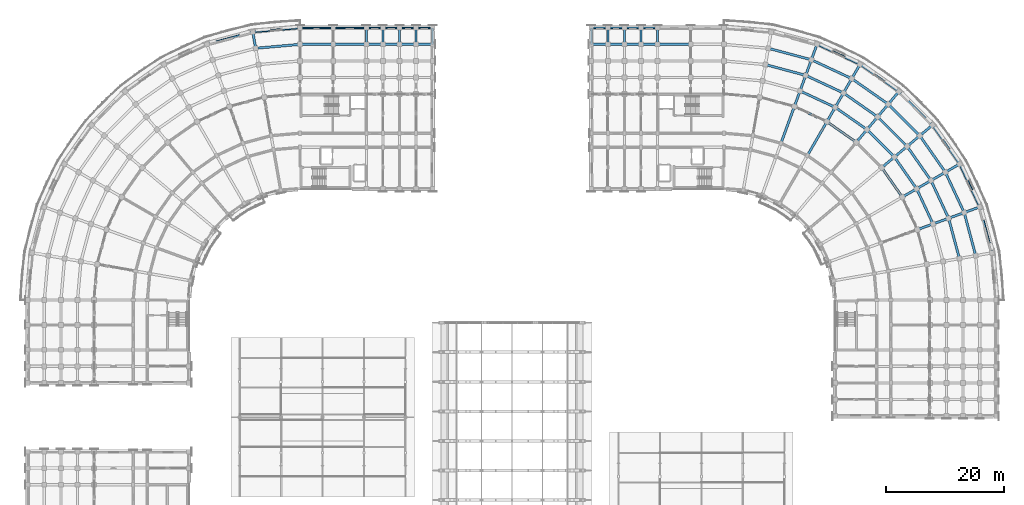
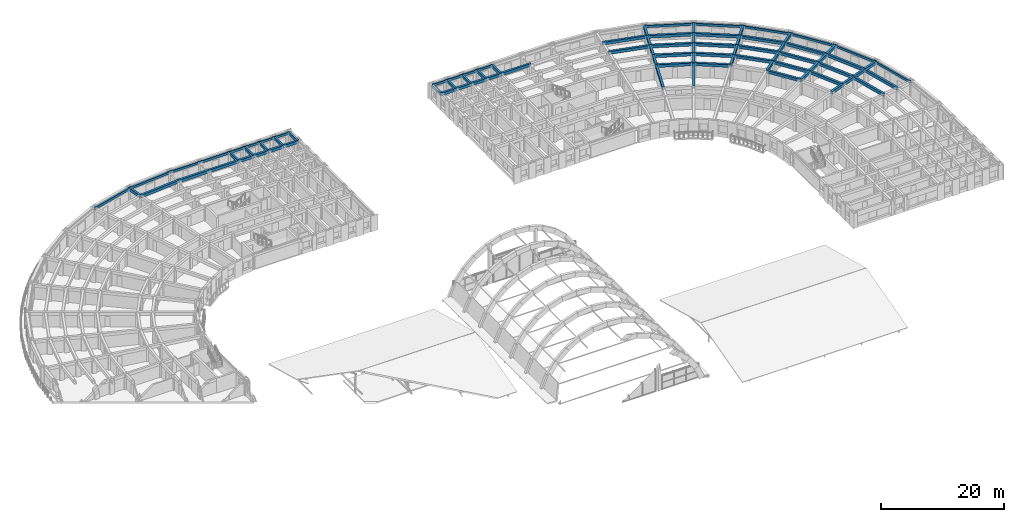
# One storey, part 25 of 76: 89 beams.
"""IFC4 building model written with IfcOpenShell, lengths in metres."""

from ifc_helpers import new_model, si_unit, direction, frame, origin, origin_2d, place, context, subcontext, project, spatial, rectangle, extrude, material, material_profile, profile_set, type_object, element, save


model = new_model("IFC4")

# Units and contexts
model_context = context("Model", 3, precision=1e-05, world=origin(), true_north=direction((0.0, 1.0)))
body_context = subcontext(model_context, "Body", "Model", "MODEL_VIEW")
ifc_project = project(units=[si_unit("LENGTHUNIT", "METRE"), si_unit("AREAUNIT", "SQUARE_METRE"), si_unit("VOLUMEUNIT", "CUBIC_METRE"), si_unit("PLANEANGLEUNIT", "RADIAN"), si_unit("MASSUNIT", "GRAM", prefix="KILO")], contexts=[model_context])

# Site, building, storey
site_placement = place(None, origin())
site = spatial("IfcSite", under=ifc_project, at=site_placement, CompositionType="ELEMENT")
building_placement = place(site_placement, origin())
building = spatial("IfcBuilding", under=site, at=building_placement, Name="Kiranvali Square Residences", CompositionType="ELEMENT")
storey_placement = place(building_placement, frame((0.0, 0.0, 8.699951171875)))
storey = spatial("IfcBuildingStorey", under=building, at=storey_placement, Name="L02", CompositionType="ELEMENT", Elevation=8.699951171875)

# Beams
ifc_material_1 = material(Name="Concrete M40 (40 MPa)", Category="concrete")
ifc_material_profile_1 = material_profile(ifc_material_1, rectangle(XDim=0.35009765625, YDim=0.550048828125, at=origin_2d()), Name="RC 350x550")
ifc_profile_set_1 = profile_set([ifc_material_profile_1], Name="Concrete M40 (40 MPa)")
beam_type_1 = type_object("IfcBeamType", Name="BM-M40-350x550", PredefinedType="BEAM", material=ifc_profile_set_1)
for number, where, z_axis, x_axis, name in (
    (1, (59.39990234375, 131.0, 2.655029296875), (0.0, 1.0, 0.0), (-1.0, 0.0, 0.0), "L02 beam BM-A-L02-A1T1-67"),
    (2, (62.199951171875, 131.0, 2.655029296875), (0.0, 1.0, 0.0), (-1.0, 0.0, 0.0), "L02 beam BM-A-L02-A1T2-67"),
    (3, (65.0, 131.0, 2.655029296875), (0.0, 1.0, 0.0), (-1.0, 0.0, 0.0), "L02 beam BM-A-L02-A1T3-67"),
    (4, (67.800048828125, 131.0, 2.655029296875), (0.0, 1.0, 0.0), (-1.0, 0.0, 0.0), "L02 beam BM-A-L02-A1T4-67"),
    (5, (70.60009765625, 131.0, 2.655029296875), (0.0, 1.0, 0.0), (-1.0, 0.0, 0.0), "L02 beam BM-A-L02-A1T5-67"),
    (6, (108.60009765625, 131.0, 2.655029296875), (0.0, 1.0, 0.0), (-1.0, 0.0, 0.0), "L02 beam BM-B-L02-A1T1-67"),
    (7, (105.800048828125, 131.0, 2.655029296875), (0.0, 1.0, 0.0), (-1.0, 0.0, 0.0), "L02 beam BM-B-L02-A1T2-67"),
    (8, (103.0, 131.0, 2.655029296875), (0.0, 1.0, 0.0), (-1.0, 0.0, 0.0), "L02 beam BM-B-L02-A1T3-67"),
    (9, (100.199951171875, 131.0, 2.655029296875), (0.0, 1.0, 0.0), (-1.0, 0.0, 0.0), "L02 beam BM-B-L02-A1T4-67"),
    (10, (97.39990234375, 131.0, 2.655029296875), (0.0, 1.0, 0.0), (-1.0, 0.0, 0.0), "L02 beam BM-B-L02-A1T5-67"),
):
    element("IfcBeam", number, at=place(storey_placement, frame(where, z_axis=z_axis, x_axis=x_axis)), inside=storey, type_object=beam_type_1, Name=name, PredefinedType="BEAM", context=body_context, shape_type="SweptSolid", body=[
        extrude(rectangle(XDim=0.35009765625, YDim=0.550048828125, at=origin_2d()), origin(), (0.0, 0.0, 1.0), 2.800048828125),
    ])
ifc_material_2 = material(Name="Concrete M45 (45 MPa)", Category="concrete")
ifc_material_profile_2 = material_profile(ifc_material_2, rectangle(XDim=0.39990234375, YDim=0.550048828125, at=origin_2d()), Name="RC 400x550")
ifc_profile_set_2 = profile_set([ifc_material_profile_2], Name="Concrete M45 (45 MPa)")
beam_type_2 = type_object("IfcBeamType", Name="BM-M45-400x550", PredefinedType="BEAM", material=ifc_profile_set_2)
beam_1_placement = place(storey_placement, frame((48.199951171875, 131.0, 2.655029296875), z_axis=(-0.996195195417, -0.087150058103, 0.0), x_axis=(0.087150058103, -0.996195195417, 0.0)))
element("IfcBeam", 11, at=beam_1_placement, inside=storey, type_object=beam_type_2, Name="L02 beam BM-A-L02-C00-R6", PredefinedType="BEAM", context=body_context, shape_type="SweptSolid", body=[
    extrude(rectangle(XDim=0.39990234375, YDim=0.550048828125, at=origin_2d()), origin(), (0.0, 0.0, 1.0), 7.530029296875),
])
beam_2_placement = place(storey_placement, frame((40.698486328125, 130.34375, 2.655029296875), z_axis=(-0.173695795656, 0.984799355489, 0.0), x_axis=(-0.984799355489, -0.173695795656, 0.0)))
element("IfcBeam", 12, at=beam_2_placement, inside=storey, type_object=beam_type_2, Name="L02 beam BM-A-L02-RAD01-67", PredefinedType="BEAM", context=body_context, shape_type="SweptSolid", body=[
    extrude(rectangle(XDim=0.39990234375, YDim=0.550048828125, at=origin_2d()), origin(), (0.0, 0.0, 1.0), 2.7998046875),
])
beam_3_placement = place(storey_placement, frame((48.199951171875, 131.0, 2.655029296875), z_axis=(1.0, 0.0, 0.0), x_axis=(0.0, 1.0, 0.0)))
element("IfcBeam", 13, at=beam_3_placement, inside=storey, type_object=beam_type_2, Name="L02 beam BM-A-L02-A1U0-R6", PredefinedType="BEAM", context=body_context, shape_type="SweptSolid", body=[
    extrude(rectangle(XDim=0.39990234375, YDim=0.550048828125, at=origin_2d()), origin(), (0.0, 0.0, 1.0), 5.60009765625),
])
beam_4_placement = place(storey_placement, frame((53.800048828125, 131.0, 2.655029296875), z_axis=(1.0, 0.0, 0.0), x_axis=(0.0, 1.0, 0.0)))
element("IfcBeam", 14, at=beam_4_placement, inside=storey, type_object=beam_type_2, Name="L02 beam BM-A-L02-A1U1-R6", PredefinedType="BEAM", context=body_context, shape_type="SweptSolid", body=[
    extrude(rectangle(XDim=0.39990234375, YDim=0.550048828125, at=origin_2d()), origin(), (0.0, 0.0, 1.0), 5.599853515625),
])
for number, where, z_axis, x_axis, name in (
    (15, (59.39990234375, 131.0, 2.655029296875), (1.0, 0.0, 0.0), (0.0, 1.0, 0.0), "L02 beam BM-A-L02-A1U2-R6"),
    (16, (62.199951171875, 131.0, 2.655029296875), (1.0, 0.0, 0.0), (0.0, 1.0, 0.0), "L02 beam BM-A-L02-A1U3-R6"),
    (17, (65.0, 131.0, 2.655029296875), (1.0, 0.0, 0.0), (0.0, 1.0, 0.0), "L02 beam BM-A-L02-A1U4-R6"),
    (18, (67.800048828125, 131.0, 2.655029296875), (1.0, 0.0, 0.0), (0.0, 1.0, 0.0), "L02 beam BM-A-L02-A1U5-R6"),
):
    element("IfcBeam", number, at=place(storey_placement, frame(where, z_axis=z_axis, x_axis=x_axis)), inside=storey, type_object=beam_type_2, Name=name, PredefinedType="BEAM", context=body_context, shape_type="SweptSolid", body=[
        extrude(rectangle(XDim=0.39990234375, YDim=0.550048828125, at=origin_2d()), origin(), (0.0, 0.0, 1.0), 2.800048828125),
    ])
beam_5_placement = place(storey_placement, frame((126.8154296875, 127.586181640625, 2.655029296875), z_axis=(0.965931029817, -0.258799624492, 0.0), x_axis=(0.258799624492, 0.965931029817, 0.0)))
element("IfcBeam", 19, at=beam_5_placement, inside=storey, type_object=beam_type_2, Name="L02 beam BM-B-L02-C01-R5", PredefinedType="BEAM", context=body_context, shape_type="SweptSolid", body=[
    extrude(rectangle(XDim=0.39990234375, YDim=0.550048828125, at=origin_2d()), origin(), (0.0, 0.0, 1.0), 7.042236328125),
])
beam_6_placement = place(storey_placement, frame((127.301513671875, 130.34375, 2.655029296875), z_axis=(0.965925909693, -0.258818733833, 0.0), x_axis=(0.258818733833, 0.965925909693, 0.0)))
element("IfcBeam", 20, at=beam_6_placement, inside=storey, type_object=beam_type_2, Name="L02 beam BM-B-L02-C01-R6", PredefinedType="BEAM", context=body_context, shape_type="SweptSolid", body=[
    extrude(rectangle(XDim=0.39990234375, YDim=0.550048828125, at=origin_2d()), origin(), (0.0, 0.0, 1.0), 7.5302734375),
])
beam_7_placement = place(storey_placement, frame((131.702392578125, 120.501220703125, 2.655029296875), z_axis=(0.906312656069, -0.42260781991, 0.0), x_axis=(0.42260781991, 0.906312656069, 0.0)))
element("IfcBeam", 21, at=beam_7_placement, inside=storey, type_object=beam_type_2, Name="L02 beam BM-B-L02-C02-R3", PredefinedType="BEAM", context=body_context, shape_type="SweptSolid", body=[
    extrude(rectangle(XDim=0.39990234375, YDim=0.550048828125, at=origin_2d()), origin(), (0.0, 0.0, 1.0), 6.06591796875),
])
beam_8_placement = place(storey_placement, frame((132.659912109375, 123.13232421875, 2.655029296875), z_axis=(0.906318225223, -0.422595876255, 0.0), x_axis=(0.422595876255, 0.906318225223, 0.0)))
element("IfcBeam", 22, at=beam_8_placement, inside=storey, type_object=beam_type_2, Name="L02 beam BM-B-L02-C02-R4", PredefinedType="BEAM", context=body_context, shape_type="SweptSolid", body=[
    extrude(rectangle(XDim=0.39990234375, YDim=0.550048828125, at=origin_2d()), origin(), (0.0, 0.0, 1.0), 6.55419921875),
])
beam_9_placement = place(storey_placement, frame((133.61767578125, 125.763671875, 2.655029296875), z_axis=(0.906297360311, -0.422640621205, 0.0), x_axis=(0.422640621205, 0.906297360311, 0.0)))
element("IfcBeam", 23, at=beam_9_placement, inside=storey, type_object=beam_type_2, Name="L02 beam BM-B-L02-C02-R5", PredefinedType="BEAM", context=body_context, shape_type="SweptSolid", body=[
    extrude(rectangle(XDim=0.39990234375, YDim=0.550048828125, at=origin_2d()), origin(), (0.0, 0.0, 1.0), 7.042236328125),
])
beam_10_placement = place(storey_placement, frame((134.5751953125, 128.394775390625, 2.655029296875), z_axis=(0.90630982703, -0.422613886933, 0.0), x_axis=(0.422613886933, 0.90630982703, 0.0)))
element("IfcBeam", 24, at=beam_10_placement, inside=storey, type_object=beam_type_2, Name="L02 beam BM-B-L02-C02-R6", PredefinedType="BEAM", context=body_context, shape_type="SweptSolid", body=[
    extrude(rectangle(XDim=0.39990234375, YDim=0.550048828125, at=origin_2d()), origin(), (0.0, 0.0, 1.0), 7.5302734375),
])
beam_11_placement = place(storey_placement, frame((137.199951171875, 117.937744140625, 2.655029296875), z_axis=(0.81913926159, -0.573594691504, 0.0), x_axis=(0.573594691504, 0.81913926159, 0.0)))
element("IfcBeam", 25, at=beam_11_placement, inside=storey, type_object=beam_type_2, Name="L02 beam BM-B-L02-C03-R3", PredefinedType="BEAM", context=body_context, shape_type="SweptSolid", body=[
    extrude(rectangle(XDim=0.39990234375, YDim=0.550048828125, at=origin_2d()), origin(), (0.0, 0.0, 1.0), 6.066162109375),
])
beam_12_placement = place(storey_placement, frame((138.60009765625, 120.362548828125, 2.655029296875), z_axis=(0.819144409176, -0.573587340268, 0.0), x_axis=(0.573587340268, 0.819144409176, 0.0)))
element("IfcBeam", 26, at=beam_12_placement, inside=storey, type_object=beam_type_2, Name="L02 beam BM-B-L02-C03-R4", PredefinedType="BEAM", context=body_context, shape_type="SweptSolid", body=[
    extrude(rectangle(XDim=0.39990234375, YDim=0.550048828125, at=origin_2d()), origin(), (0.0, 0.0, 1.0), 6.553955078125),
])
beam_13_placement = place(storey_placement, frame((140.0, 122.787353515625, 2.655029296875), z_axis=(0.819160249246, -0.57356471828, 0.0), x_axis=(0.57356471828, 0.819160249246, 0.0)))
element("IfcBeam", 27, at=beam_13_placement, inside=storey, type_object=beam_type_2, Name="L02 beam BM-B-L02-C03-R5", PredefinedType="BEAM", context=body_context, shape_type="SweptSolid", body=[
    extrude(rectangle(XDim=0.39990234375, YDim=0.550048828125, at=origin_2d()), origin(), (0.0, 0.0, 1.0), 7.0419921875),
])
beam_14_placement = place(storey_placement, frame((141.39990234375, 125.21240234375, 2.655029296875), z_axis=(0.819143569597, -0.573588539275, 0.0), x_axis=(0.573588539275, 0.819143569597, 0.0)))
element("IfcBeam", 28, at=beam_14_placement, inside=storey, type_object=beam_type_2, Name="L02 beam BM-B-L02-C03-R6", PredefinedType="BEAM", context=body_context, shape_type="SweptSolid", body=[
    extrude(rectangle(XDim=0.39990234375, YDim=0.550048828125, at=origin_2d()), origin(), (0.0, 0.0, 1.0), 7.5302734375),
])
beam_15_placement = place(storey_placement, frame((143.96875, 116.603271484375, 2.655029296875), z_axis=(0.707106781187, -0.707106781187, 0.0), x_axis=(0.707106781187, 0.707106781187, 0.0)))
element("IfcBeam", 29, at=beam_15_placement, inside=storey, type_object=beam_type_2, Name="L02 beam BM-B-L02-C04-R4", PredefinedType="BEAM", context=body_context, shape_type="SweptSolid", body=[
    extrude(rectangle(XDim=0.39990234375, YDim=0.550048828125, at=origin_2d()), origin(), (0.0, 0.0, 1.0), 6.55419921875),
])
beam_16_placement = place(storey_placement, frame((145.7685546875, 118.748291015625, 2.655029296875), z_axis=(0.707106781187, -0.707106781187, 0.0), x_axis=(0.707106781187, 0.707106781187, 0.0)))
element("IfcBeam", 30, at=beam_16_placement, inside=storey, type_object=beam_type_2, Name="L02 beam BM-B-L02-C04-R5", PredefinedType="BEAM", context=body_context, shape_type="SweptSolid", body=[
    extrude(rectangle(XDim=0.39990234375, YDim=0.550048828125, at=origin_2d()), origin(), (0.0, 0.0, 1.0), 7.04248046875),
])
beam_17_placement = place(storey_placement, frame((147.568359375, 120.89306640625, 2.655029296875), z_axis=(0.707106781187, -0.707106781187, 0.0), x_axis=(0.707106781187, 0.707106781187, 0.0)))
element("IfcBeam", 31, at=beam_17_placement, inside=storey, type_object=beam_type_2, Name="L02 beam BM-B-L02-C04-R6", PredefinedType="BEAM", context=body_context, shape_type="SweptSolid", body=[
    extrude(rectangle(XDim=0.39990234375, YDim=0.550048828125, at=origin_2d()), origin(), (0.0, 0.0, 1.0), 7.5302734375),
])
beam_18_placement = place(storey_placement, frame((146.458251953125, 110.1689453125, 2.655029296875), z_axis=(0.573594691504, -0.81913926159, 0.0), x_axis=(0.81913926159, 0.573594691504, 0.0)))
element("IfcBeam", 32, at=beam_18_placement, inside=storey, type_object=beam_type_2, Name="L02 beam BM-B-L02-C05-R3", PredefinedType="BEAM", context=body_context, shape_type="SweptSolid", body=[
    extrude(rectangle(XDim=0.39990234375, YDim=0.550048828125, at=origin_2d()), origin(), (0.0, 0.0, 1.0), 6.066162109375),
])
beam_19_placement = place(storey_placement, frame((148.603271484375, 111.96875, 2.655029296875), z_axis=(0.573587340268, -0.819144409176, 0.0), x_axis=(0.819144409176, 0.573587340268, 0.0)))
element("IfcBeam", 33, at=beam_19_placement, inside=storey, type_object=beam_type_2, Name="L02 beam BM-B-L02-C05-R4", PredefinedType="BEAM", context=body_context, shape_type="SweptSolid", body=[
    extrude(rectangle(XDim=0.39990234375, YDim=0.550048828125, at=origin_2d()), origin(), (0.0, 0.0, 1.0), 6.553955078125),
])
beam_20_placement = place(storey_placement, frame((150.748291015625, 113.7685546875, 2.655029296875), z_axis=(0.57356471828, -0.819160249246, 0.0), x_axis=(0.819160249246, 0.57356471828, 0.0)))
element("IfcBeam", 34, at=beam_20_placement, inside=storey, type_object=beam_type_2, Name="L02 beam BM-B-L02-C05-R5", PredefinedType="BEAM", context=body_context, shape_type="SweptSolid", body=[
    extrude(rectangle(XDim=0.39990234375, YDim=0.550048828125, at=origin_2d()), origin(), (0.0, 0.0, 1.0), 7.0419921875),
])
beam_21_placement = place(storey_placement, frame((152.89306640625, 115.568359375, 2.655029296875), z_axis=(0.573588539275, -0.819143569597, 0.0), x_axis=(0.819143569597, 0.573588539275, 0.0)))
element("IfcBeam", 35, at=beam_21_placement, inside=storey, type_object=beam_type_2, Name="L02 beam BM-B-L02-C05-R6", PredefinedType="BEAM", context=body_context, shape_type="SweptSolid", body=[
    extrude(rectangle(XDim=0.39990234375, YDim=0.550048828125, at=origin_2d()), origin(), (0.0, 0.0, 1.0), 7.5302734375),
])
beam_22_placement = place(storey_placement, frame((152.362548828125, 106.60009765625, 2.655029296875), z_axis=(0.422595876255, -0.906318225223, 0.0), x_axis=(0.906318225223, 0.422595876255, 0.0)))
element("IfcBeam", 36, at=beam_22_placement, inside=storey, type_object=beam_type_2, Name="L02 beam BM-B-L02-C06-R4", PredefinedType="BEAM", context=body_context, shape_type="SweptSolid", body=[
    extrude(rectangle(XDim=0.39990234375, YDim=0.550048828125, at=origin_2d()), origin(), (0.0, 0.0, 1.0), 6.55419921875),
])
beam_23_placement = place(storey_placement, frame((154.787353515625, 108.0, 2.655029296875), z_axis=(0.422640621205, -0.906297360311, 0.0), x_axis=(0.906297360311, 0.422640621205, 0.0)))
element("IfcBeam", 37, at=beam_23_placement, inside=storey, type_object=beam_type_2, Name="L02 beam BM-B-L02-C06-R5", PredefinedType="BEAM", context=body_context, shape_type="SweptSolid", body=[
    extrude(rectangle(XDim=0.39990234375, YDim=0.550048828125, at=origin_2d()), origin(), (0.0, 0.0, 1.0), 7.042236328125),
])
beam_24_placement = place(storey_placement, frame((157.21240234375, 109.39990234375, 2.655029296875), z_axis=(0.422613886933, -0.90630982703, 0.0), x_axis=(0.90630982703, 0.422613886933, 0.0)))
element("IfcBeam", 38, at=beam_24_placement, inside=storey, type_object=beam_type_2, Name="L02 beam BM-B-L02-C06-R6", PredefinedType="BEAM", context=body_context, shape_type="SweptSolid", body=[
    extrude(rectangle(XDim=0.39990234375, YDim=0.550048828125, at=origin_2d()), origin(), (0.0, 0.0, 1.0), 7.5302734375),
])
beam_25_placement = place(storey_placement, frame((157.763671875, 101.61767578125, 2.655029296875), z_axis=(0.258799624492, -0.965931029817, 0.0), x_axis=(0.965931029817, 0.258799624492, 0.0)))
element("IfcBeam", 39, at=beam_25_placement, inside=storey, type_object=beam_type_2, Name="L02 beam BM-B-L02-C07-R5", PredefinedType="BEAM", context=body_context, shape_type="SweptSolid", body=[
    extrude(rectangle(XDim=0.39990234375, YDim=0.550048828125, at=origin_2d()), origin(), (0.0, 0.0, 1.0), 7.042236328125),
])
beam_26_placement = place(storey_placement, frame((160.394775390625, 102.5751953125, 2.655029296875), z_axis=(0.258818733833, -0.965925909693, 0.0), x_axis=(0.965925909693, 0.258818733833, 0.0)))
element("IfcBeam", 40, at=beam_26_placement, inside=storey, type_object=beam_type_2, Name="L02 beam BM-B-L02-C07-R6", PredefinedType="BEAM", context=body_context, shape_type="SweptSolid", body=[
    extrude(rectangle(XDim=0.39990234375, YDim=0.550048828125, at=origin_2d()), origin(), (0.0, 0.0, 1.0), 7.5302734375),
])
beam_27_placement = place(storey_placement, frame((129.445068359375, 114.29931640625, 2.655029296875), z_axis=(0.342022238372, 0.939691858249, 0.0), x_axis=(-0.939691858249, 0.342022238372, 0.0)))
element("IfcBeam", 41, at=beam_27_placement, inside=storey, type_object=beam_type_2, Name="L02 beam BM-B-L02-RAD02-23", PredefinedType="BEAM", context=body_context, shape_type="SweptSolid", body=[
    extrude(rectangle(XDim=0.39990234375, YDim=0.550048828125, at=origin_2d()), origin(), (0.0, 0.0, 1.0), 6.599853515625),
])
beam_28_placement = place(storey_placement, frame((131.702392578125, 120.501220703125, 2.655029296875), z_axis=(0.341981089711, 0.93970683422, 0.0), x_axis=(-0.93970683422, 0.341981089711, 0.0)))
element("IfcBeam", 42, at=beam_28_placement, inside=storey, type_object=beam_type_2, Name="L02 beam BM-B-L02-RAD02-34", PredefinedType="BEAM", context=body_context, shape_type="SweptSolid", body=[
    extrude(rectangle(XDim=0.39990234375, YDim=0.550048828125, at=origin_2d()), origin(), (0.0, 0.0, 1.0), 2.7998046875),
])
beam_29_placement = place(storey_placement, frame((132.659912109375, 123.13232421875, 2.655029296875), z_axis=(0.342030060398, 0.939689011208, 0.0), x_axis=(-0.939689011208, 0.342030060398, 0.0)))
element("IfcBeam", 43, at=beam_29_placement, inside=storey, type_object=beam_type_2, Name="L02 beam BM-B-L02-RAD02-45", PredefinedType="BEAM", context=body_context, shape_type="SweptSolid", body=[
    extrude(rectangle(XDim=0.39990234375, YDim=0.550048828125, at=origin_2d()), origin(), (0.0, 0.0, 1.0), 2.80029296875),
])
beam_30_placement = place(storey_placement, frame((133.61767578125, 125.763671875, 2.655029296875), z_axis=(0.341981089711, 0.93970683422, 0.0), x_axis=(-0.93970683422, 0.341981089711, 0.0)))
element("IfcBeam", 44, at=beam_30_placement, inside=storey, type_object=beam_type_2, Name="L02 beam BM-B-L02-RAD02-56", PredefinedType="BEAM", context=body_context, shape_type="SweptSolid", body=[
    extrude(rectangle(XDim=0.39990234375, YDim=0.550048828125, at=origin_2d()), origin(), (0.0, 0.0, 1.0), 2.7998046875),
])
beam_31_placement = place(storey_placement, frame((134.5751953125, 128.394775390625, 2.655029296875), z_axis=(0.342058084236, 0.939678810556, 0.0), x_axis=(-0.939678810556, 0.342058084236, 0.0)))
element("IfcBeam", 45, at=beam_31_placement, inside=storey, type_object=beam_type_2, Name="L02 beam BM-B-L02-RAD02-67", PredefinedType="BEAM", context=body_context, shape_type="SweptSolid", body=[
    extrude(rectangle(XDim=0.39990234375, YDim=0.550048828125, at=origin_2d()), origin(), (0.0, 0.0, 1.0), 2.800048828125),
])
beam_32_placement = place(storey_placement, frame((133.89990234375, 112.221923828125, 2.655029296875), z_axis=(0.500002094529, 0.866024194504, 0.0), x_axis=(-0.866024194504, 0.500002094529, 0.0)))
element("IfcBeam", 46, at=beam_32_placement, inside=storey, type_object=beam_type_2, Name="L02 beam BM-B-L02-RAD03-23", PredefinedType="BEAM", context=body_context, shape_type="SweptSolid", body=[
    extrude(rectangle(XDim=0.39990234375, YDim=0.550048828125, at=origin_2d()), origin(), (0.0, 0.0, 1.0), 6.60009765625),
])
beam_33_placement = place(storey_placement, frame((137.199951171875, 117.937744140625, 2.655029296875), z_axis=(0.500049511043, 0.865996816683, 0.0), x_axis=(-0.865996816683, 0.500049511043, 0.0)))
element("IfcBeam", 47, at=beam_33_placement, inside=storey, type_object=beam_type_2, Name="L02 beam BM-B-L02-RAD03-34", PredefinedType="BEAM", context=body_context, shape_type="SweptSolid", body=[
    extrude(rectangle(XDim=0.39990234375, YDim=0.550048828125, at=origin_2d()), origin(), (0.0, 0.0, 1.0), 2.800048828125),
])
beam_34_placement = place(storey_placement, frame((138.60009765625, 120.362548828125, 2.655029296875), z_axis=(0.49998411664, 0.866034573852, 0.0), x_axis=(-0.866034573852, 0.49998411664, 0.0)))
element("IfcBeam", 48, at=beam_34_placement, inside=storey, type_object=beam_type_2, Name="L02 beam BM-B-L02-RAD03-45", PredefinedType="BEAM", context=body_context, shape_type="SweptSolid", body=[
    extrude(rectangle(XDim=0.39990234375, YDim=0.550048828125, at=origin_2d()), origin(), (0.0, 0.0, 1.0), 2.7998046875),
])
for number, where, z_axis, x_axis, name in (
    (49, (140.0, 122.787353515625, 2.655029296875), (0.49994636267, 0.866056369097, 0.0), (-0.866056369097, 0.49994636267, 0.0), "L02 beam BM-B-L02-RAD03-56"),
    (50, (141.39990234375, 125.21240234375, 2.655029296875), (0.500049511043, 0.865996816683, 0.0), (-0.865996816683, 0.500049511043, 0.0), "L02 beam BM-B-L02-RAD03-67"),
    (51, (142.1689453125, 114.458251953125, 2.655029296875), (0.642770757628, 0.766058583359, 0.0), (-0.766058583359, 0.642770757628, 0.0), "L02 beam BM-B-L02-RAD04-34"),
    (52, (143.96875, 116.603271484375, 2.655029296875), (0.642770757628, 0.766058583359, 0.0), (-0.766058583359, 0.642770757628, 0.0), "L02 beam BM-B-L02-RAD04-45"),
):
    element("IfcBeam", number, at=place(storey_placement, frame(where, z_axis=z_axis, x_axis=x_axis)), inside=storey, type_object=beam_type_2, Name=name, PredefinedType="BEAM", context=body_context, shape_type="SweptSolid", body=[
        extrude(rectangle(XDim=0.39990234375, YDim=0.550048828125, at=origin_2d()), origin(), (0.0, 0.0, 1.0), 2.800048828125),
    ])
beam_35_placement = place(storey_placement, frame((145.7685546875, 118.748291015625, 2.655029296875), z_axis=(0.642813692253, 0.76602255649, 0.0), x_axis=(-0.76602255649, 0.642813692253, 0.0)))
element("IfcBeam", 53, at=beam_35_placement, inside=storey, type_object=beam_type_2, Name="L02 beam BM-B-L02-RAD04-56", PredefinedType="BEAM", context=body_context, shape_type="SweptSolid", body=[
    extrude(rectangle(XDim=0.39990234375, YDim=0.550048828125, at=origin_2d()), origin(), (0.0, 0.0, 1.0), 2.7998046875),
])
for number, where, z_axis, x_axis, name in (
    (54, (147.568359375, 120.89306640625, 2.655029296875), (0.642770757628, 0.766058583359, 0.0), (-0.766058583359, 0.642770757628, 0.0), "L02 beam BM-B-L02-RAD04-67"),
    (55, (146.458251953125, 110.1689453125, 2.655029296875), (0.766058583359, 0.642770757628, 0.0), (-0.642770757628, 0.766058583359, 0.0), "L02 beam BM-B-L02-RAD05-34"),
    (56, (148.603271484375, 111.96875, 2.655029296875), (0.766058583359, 0.642770757628, 0.0), (-0.642770757628, 0.766058583359, 0.0), "L02 beam BM-B-L02-RAD05-45"),
):
    element("IfcBeam", number, at=place(storey_placement, frame(where, z_axis=z_axis, x_axis=x_axis)), inside=storey, type_object=beam_type_2, Name=name, PredefinedType="BEAM", context=body_context, shape_type="SweptSolid", body=[
        extrude(rectangle(XDim=0.39990234375, YDim=0.550048828125, at=origin_2d()), origin(), (0.0, 0.0, 1.0), 2.800048828125),
    ])
beam_36_placement = place(storey_placement, frame((150.748291015625, 113.7685546875, 2.655029296875), z_axis=(0.76602255649, 0.642813692253, 0.0), x_axis=(-0.642813692253, 0.76602255649, 0.0)))
element("IfcBeam", 57, at=beam_36_placement, inside=storey, type_object=beam_type_2, Name="L02 beam BM-B-L02-RAD05-56", PredefinedType="BEAM", context=body_context, shape_type="SweptSolid", body=[
    extrude(rectangle(XDim=0.39990234375, YDim=0.550048828125, at=origin_2d()), origin(), (0.0, 0.0, 1.0), 2.7998046875),
])
for number, where, z_axis, x_axis, name in (
    (58, (152.89306640625, 115.568359375, 2.655029296875), (0.766058583359, 0.642770757628, 0.0), (-0.642770757628, 0.766058583359, 0.0), "L02 beam BM-B-L02-RAD05-67"),
    (59, (149.937744140625, 105.199951171875, 2.655029296875), (0.865996816683, 0.500049511043, 0.0), (-0.500049511043, 0.865996816683, 0.0), "L02 beam BM-B-L02-RAD06-34"),
):
    element("IfcBeam", number, at=place(storey_placement, frame(where, z_axis=z_axis, x_axis=x_axis)), inside=storey, type_object=beam_type_2, Name=name, PredefinedType="BEAM", context=body_context, shape_type="SweptSolid", body=[
        extrude(rectangle(XDim=0.39990234375, YDim=0.550048828125, at=origin_2d()), origin(), (0.0, 0.0, 1.0), 2.800048828125),
    ])
beam_37_placement = place(storey_placement, frame((152.362548828125, 106.60009765625, 2.655029296875), z_axis=(0.866034573852, 0.49998411664, 0.0), x_axis=(-0.49998411664, 0.866034573852, 0.0)))
element("IfcBeam", 60, at=beam_37_placement, inside=storey, type_object=beam_type_2, Name="L02 beam BM-B-L02-RAD06-45", PredefinedType="BEAM", context=body_context, shape_type="SweptSolid", body=[
    extrude(rectangle(XDim=0.39990234375, YDim=0.550048828125, at=origin_2d()), origin(), (0.0, 0.0, 1.0), 2.7998046875),
])
for number, where, z_axis, x_axis, name in (
    (61, (154.787353515625, 108.0, 2.655029296875), (0.866056369097, 0.49994636267, 0.0), (-0.49994636267, 0.866056369097, 0.0), "L02 beam BM-B-L02-RAD06-56"),
    (62, (157.21240234375, 109.39990234375, 2.655029296875), (0.865996816683, 0.500049511043, 0.0), (-0.500049511043, 0.865996816683, 0.0), "L02 beam BM-B-L02-RAD06-67"),
):
    element("IfcBeam", number, at=place(storey_placement, frame(where, z_axis=z_axis, x_axis=x_axis)), inside=storey, type_object=beam_type_2, Name=name, PredefinedType="BEAM", context=body_context, shape_type="SweptSolid", body=[
        extrude(rectangle(XDim=0.39990234375, YDim=0.550048828125, at=origin_2d()), origin(), (0.0, 0.0, 1.0), 2.800048828125),
    ])
beam_38_placement = place(storey_placement, frame((152.501220703125, 99.702392578125, 2.655029296875), z_axis=(0.93970683422, 0.341981089711, 0.0), x_axis=(-0.341981089711, 0.93970683422, 0.0)))
element("IfcBeam", 63, at=beam_38_placement, inside=storey, type_object=beam_type_2, Name="L02 beam BM-B-L02-RAD07-34", PredefinedType="BEAM", context=body_context, shape_type="SweptSolid", body=[
    extrude(rectangle(XDim=0.39990234375, YDim=0.550048828125, at=origin_2d()), origin(), (0.0, 0.0, 1.0), 2.7998046875),
])
beam_39_placement = place(storey_placement, frame((155.13232421875, 100.659912109375, 2.655029296875), z_axis=(0.939689011208, 0.342030060398, 0.0), x_axis=(-0.342030060398, 0.939689011208, 0.0)))
element("IfcBeam", 64, at=beam_39_placement, inside=storey, type_object=beam_type_2, Name="L02 beam BM-B-L02-RAD07-45", PredefinedType="BEAM", context=body_context, shape_type="SweptSolid", body=[
    extrude(rectangle(XDim=0.39990234375, YDim=0.550048828125, at=origin_2d()), origin(), (0.0, 0.0, 1.0), 2.80029296875),
])
beam_40_placement = place(storey_placement, frame((157.763671875, 101.61767578125, 2.655029296875), z_axis=(0.93970683422, 0.341981089711, 0.0), x_axis=(-0.341981089711, 0.93970683422, 0.0)))
element("IfcBeam", 65, at=beam_40_placement, inside=storey, type_object=beam_type_2, Name="L02 beam BM-B-L02-RAD07-56", PredefinedType="BEAM", context=body_context, shape_type="SweptSolid", body=[
    extrude(rectangle(XDim=0.39990234375, YDim=0.550048828125, at=origin_2d()), origin(), (0.0, 0.0, 1.0), 2.7998046875),
])
beam_41_placement = place(storey_placement, frame((160.394775390625, 102.5751953125, 2.655029296875), z_axis=(0.939678810556, 0.342058084236, 0.0), x_axis=(-0.342058084236, 0.939678810556, 0.0)))
element("IfcBeam", 66, at=beam_41_placement, inside=storey, type_object=beam_type_2, Name="L02 beam BM-B-L02-RAD07-67", PredefinedType="BEAM", context=body_context, shape_type="SweptSolid", body=[
    extrude(rectangle(XDim=0.39990234375, YDim=0.550048828125, at=origin_2d()), origin(), (0.0, 0.0, 1.0), 2.800048828125),
])
beam_42_placement = place(storey_placement, frame((114.199951171875, 131.0, 2.655029296875), z_axis=(-1.0, 0.0, 0.0), x_axis=(0.0, -1.0, 0.0)))
element("IfcBeam", 67, at=beam_42_placement, inside=storey, type_object=beam_type_2, Name="L02 beam BM-B-L02-A1U1-R6", PredefinedType="BEAM", context=body_context, shape_type="SweptSolid", body=[
    extrude(rectangle(XDim=0.39990234375, YDim=0.550048828125, at=origin_2d()), origin(), (0.0, 0.0, 1.0), 5.599853515625),
])
for number, where, z_axis, x_axis, name in (
    (68, (108.60009765625, 131.0, 2.655029296875), (-1.0, 0.0, 0.0), (0.0, -1.0, 0.0), "L02 beam BM-B-L02-A1U2-R6"),
    (69, (105.800048828125, 131.0, 2.655029296875), (-1.0, 0.0, 0.0), (0.0, -1.0, 0.0), "L02 beam BM-B-L02-A1U3-R6"),
    (70, (103.0, 131.0, 2.655029296875), (-1.0, 0.0, 0.0), (0.0, -1.0, 0.0), "L02 beam BM-B-L02-A1U4-R6"),
    (71, (100.199951171875, 131.0, 2.655029296875), (-1.0, 0.0, 0.0), (0.0, -1.0, 0.0), "L02 beam BM-B-L02-A1U5-R6"),
):
    element("IfcBeam", number, at=place(storey_placement, frame(where, z_axis=z_axis, x_axis=x_axis)), inside=storey, type_object=beam_type_2, Name=name, PredefinedType="BEAM", context=body_context, shape_type="SweptSolid", body=[
        extrude(rectangle(XDim=0.39990234375, YDim=0.550048828125, at=origin_2d()), origin(), (0.0, 0.0, 1.0), 2.800048828125),
    ])
ifc_material_profile_3 = material_profile(ifc_material_1, rectangle(XDim=0.25, YDim=0.449951171875, at=origin_2d()), Name="RC 250x450")
ifc_profile_set_3 = profile_set([ifc_material_profile_3], Name="Concrete M40 (40 MPa)")
beam_type_3 = type_object("IfcBeamType", Name="SPN-M40-250x450", PredefinedType="SPANDREL", material=ifc_profile_set_3)
beam_43_placement = place(storey_placement, frame((48.199951171875, 133.800048828125, 2.705078125), z_axis=(1.0, 0.0, 0.0), x_axis=(0.0, 1.0, 0.0)))
element("IfcBeam", 72, at=beam_43_placement, inside=storey, type_object=beam_type_3, Name="L02 beam BM-A-L02-A1U0-R7", PredefinedType="SPANDREL", context=body_context, shape_type="SweptSolid", body=[
    extrude(rectangle(XDim=0.25, YDim=0.449951171875, at=origin_2d()), origin(), (0.0, 0.0, 1.0), 5.60009765625),
])
beam_44_placement = place(storey_placement, frame((53.800048828125, 133.800048828125, 2.705078125), z_axis=(1.0, 0.0, 0.0), x_axis=(0.0, 1.0, 0.0)))
element("IfcBeam", 73, at=beam_44_placement, inside=storey, type_object=beam_type_3, Name="L02 beam BM-A-L02-A1U1-R7", PredefinedType="SPANDREL", context=body_context, shape_type="SweptSolid", body=[
    extrude(rectangle(XDim=0.25, YDim=0.449951171875, at=origin_2d()), origin(), (0.0, 0.0, 1.0), 5.599853515625),
])
for number, where, z_axis, x_axis, name in (
    (74, (59.39990234375, 133.800048828125, 2.705078125), (1.0, 0.0, 0.0), (0.0, 1.0, 0.0), "L02 beam BM-A-L02-A1U2-R7"),
    (75, (62.199951171875, 133.800048828125, 2.705078125), (1.0, 0.0, 0.0), (0.0, 1.0, 0.0), "L02 beam BM-A-L02-A1U3-R7"),
    (76, (65.0, 133.800048828125, 2.705078125), (1.0, 0.0, 0.0), (0.0, 1.0, 0.0), "L02 beam BM-A-L02-A1U4-R7"),
    (77, (67.800048828125, 133.800048828125, 2.705078125), (1.0, 0.0, 0.0), (0.0, 1.0, 0.0), "L02 beam BM-A-L02-A1U5-R7"),
    (78, (108.60009765625, 133.800048828125, 2.705078125), (-1.0, 0.0, 0.0), (0.0, -1.0, 0.0), "L02 beam BM-B-L02-A1U2-R7"),
    (79, (105.800048828125, 133.800048828125, 2.705078125), (-1.0, 0.0, 0.0), (0.0, -1.0, 0.0), "L02 beam BM-B-L02-A1U3-R7"),
    (80, (103.0, 133.800048828125, 2.705078125), (-1.0, 0.0, 0.0), (0.0, -1.0, 0.0), "L02 beam BM-B-L02-A1U4-R7"),
    (81, (100.199951171875, 133.800048828125, 2.705078125), (-1.0, 0.0, 0.0), (0.0, -1.0, 0.0), "L02 beam BM-B-L02-A1U5-R7"),
):
    element("IfcBeam", number, at=place(storey_placement, frame(where, z_axis=z_axis, x_axis=x_axis)), inside=storey, type_object=beam_type_3, Name=name, PredefinedType="SPANDREL", context=body_context, shape_type="SweptSolid", body=[
        extrude(rectangle(XDim=0.25, YDim=0.449951171875, at=origin_2d()), origin(), (0.0, 0.0, 1.0), 2.800048828125),
    ])
ifc_material_profile_4 = material_profile(ifc_material_1, rectangle(XDim=0.300048828125, YDim=0.449951171875, at=origin_2d()), Name="RC 300x450")
ifc_profile_set_4 = profile_set([ifc_material_profile_4], Name="Concrete M40 (40 MPa)")
beam_type_4 = type_object("IfcBeamType", Name="SPN-M40-300x450", PredefinedType="SPANDREL", material=ifc_profile_set_4)
for number, where, z_axis, x_axis, name in (
    (82, (48.199951171875, 133.800048828125, 2.705078125), (-0.996193254792, -0.087172238171, 0.0), (0.087172238171, -0.996193254792, 0.0), "L02 beam BM-A-L02-C00-R7"),
    (83, (40.212158203125, 133.10107421875, 2.705078125), (-0.96592902462, -0.258807108475, 0.0), (0.258807108475, -0.96592902462, 0.0), "L02 beam BM-A-L02-C01-R7"),
    (84, (135.532958984375, 131.02587890625, 2.705078125), (0.906309113636, -0.422615416827, 0.0), (0.422615416827, 0.906309113636, 0.0), "L02 beam BM-B-L02-C02-R7"),
    (85, (142.800048828125, 127.63720703125, 2.705078125), (0.819147515001, -0.573582904791, 0.0), (0.573582904791, 0.819147515001, 0.0), "L02 beam BM-B-L02-C03-R7"),
):
    element("IfcBeam", number, at=place(storey_placement, frame(where, z_axis=z_axis, x_axis=x_axis)), inside=storey, type_object=beam_type_4, Name=name, PredefinedType="SPANDREL", context=body_context, shape_type="SweptSolid", body=[
        extrude(rectangle(XDim=0.300048828125, YDim=0.449951171875, at=origin_2d()), origin(), (0.0, 0.0, 1.0), 8.018310546875),
    ])
beam_45_placement = place(storey_placement, frame((149.3681640625, 123.0380859375, 2.705078125), z_axis=(0.707106781187, -0.707106781187, 0.0), x_axis=(0.707106781187, 0.707106781187, 0.0)))
element("IfcBeam", 86, at=beam_45_placement, inside=storey, type_object=beam_type_4, Name="L02 beam BM-B-L02-C04-R7", PredefinedType="SPANDREL", context=body_context, shape_type="SweptSolid", body=[
    extrude(rectangle(XDim=0.300048828125, YDim=0.449951171875, at=origin_2d()), origin(), (0.0, 0.0, 1.0), 8.0185546875),
])
for number, where, z_axis, x_axis, name in (
    (87, (155.0380859375, 117.3681640625, 2.705078125), (0.573582904791, -0.819147515001, 0.0), (0.819147515001, 0.573582904791, 0.0), "L02 beam BM-B-L02-C05-R7"),
    (88, (159.63720703125, 110.800048828125, 2.705078125), (0.422615416827, -0.906309113636, 0.0), (0.906309113636, 0.422615416827, 0.0), "L02 beam BM-B-L02-C06-R7"),
    (89, (163.02587890625, 103.532958984375, 2.705078125), (0.258807108475, -0.96592902462, 0.0), (0.96592902462, 0.258807108475, 0.0), "L02 beam BM-B-L02-C07-R7"),
):
    element("IfcBeam", number, at=place(storey_placement, frame(where, z_axis=z_axis, x_axis=x_axis)), inside=storey, type_object=beam_type_4, Name=name, PredefinedType="SPANDREL", context=body_context, shape_type="SweptSolid", body=[
        extrude(rectangle(XDim=0.300048828125, YDim=0.449951171875, at=origin_2d()), origin(), (0.0, 0.0, 1.0), 8.018310546875),
    ])

save(model, "model.ifc")
